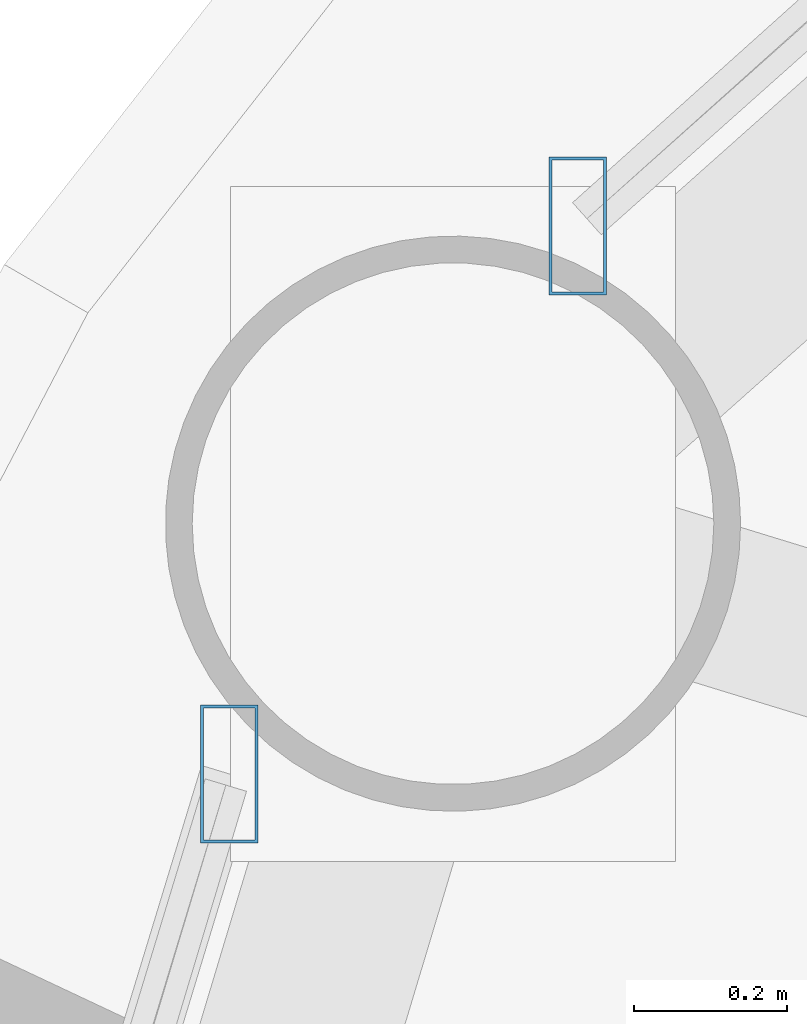
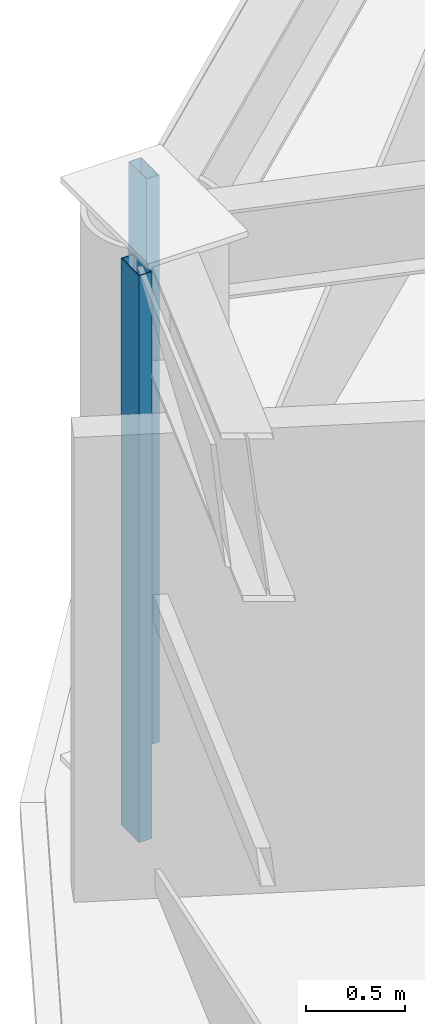
# One storey, part 14 of 30: 2 members, 2 elements without a shape of their own.
"""IFC4 building model written with IfcOpenShell, lengths in metres."""

from ifc_helpers import new_model, si_unit, direction, frame, origin, origin_2d, place, context, subcontext, project, spatial, hollow_rectangle, extrude, material, layer, layer_set, material_profile, profile_set, type_object, element, aggregate, save


model = new_model("IFC4")

# Units and contexts
model_context = context("Model", 3, precision=1e-05, world=origin(), true_north=direction((0.0, 1.0)))
body_context = subcontext(model_context, "Body", "Model", "MODEL_VIEW")
ifc_project = project(units=[si_unit("LENGTHUNIT", "METRE"), si_unit("AREAUNIT", "SQUARE_METRE"), si_unit("VOLUMEUNIT", "CUBIC_METRE"), si_unit("PLANEANGLEUNIT", "RADIAN"), si_unit("MASSUNIT", "GRAM", prefix="KILO")], contexts=[model_context])

# Site, building, storey
site_placement = place(None, origin())
site = spatial("IfcSite", under=ifc_project, at=site_placement, CompositionType="ELEMENT")
building_placement = place(site_placement, origin())
building = spatial("IfcBuilding", under=site, at=building_placement, Name="Vantalir Tower", CompositionType="ELEMENT")
storey_placement = place(building_placement, frame((0.0, 0.0, 130.949951171875)))
storey = spatial("IfcBuildingStorey", under=building, at=storey_placement, Name="L32", CompositionType="ELEMENT", Elevation=130.949951171875)

# Curtain wall, member
ifc_material_1 = material(Name="Champagne-silver PVDF aluminium and double-silver Low-E glass", Category="aluminium")
ifc_layer = layer(ifc_material_1, 0.199951171875)
ifc_layer_set = layer_set([ifc_layer], Name="Champagne-silver PVDF aluminium and double-silver Low-E glass")
curtain_wall_type = type_object("IfcCurtainWallType", Name="CW-DIAMOND-Z2", PredefinedType="USERDEFINED", material=ifc_layer_set)
curtain_wall_1_placement = place(storey_placement, origin())
curtain_wall_1 = element("IfcCurtainWall", 1, at=curtain_wall_1_placement, inside=storey, type_object=curtain_wall_type, Name="L32 Quilted Pyramid-Diamond Curtain Wall S05", ObjectType="UNITISED CURTAIN WALL", PredefinedType="USERDEFINED")
ifc_material_2 = material(Name="Champagne-silver PVDF aluminium 6063-T6", Category="aluminium")
ifc_material_profile = material_profile(ifc_material_2, hollow_rectangle(XDim=0.074951171875, YDim=0.179931640625, WallThickness=0.00390625, at=origin_2d()), Name="Champagne-silver PVDF aluminium 6063-T6")
ifc_profile_set = profile_set([ifc_material_profile], Name="Champagne-silver PVDF aluminium 6063-T6")
member_type = type_object("IfcMemberType", Name="CWM-180x75", PredefinedType="MULLION", material=ifc_profile_set)
member_1_placement = place(storey_placement, frame((9.931884765625, 36.56005859375, 0.045166015625), z_axis=(0.0, 0.0, 1.0), x_axis=(1.0, 0.0, 0.0)))
member_1 = element("IfcMember", 2, at=member_1_placement, type_object=member_type, Name="CW-L32-S05 Mullion 2", PredefinedType="MULLION", context=body_context, shape_type="SweptSolid", body=[
    extrude(hollow_rectangle(XDim=0.074951171875, YDim=0.179931640625, WallThickness=0.00390625, at=origin_2d()), origin(), (0.0, 0.0, 1.0), 3.47998046875),
])
aggregate(curtain_wall_1, [member_1])

curtain_wall_2_placement = place(storey_placement, origin())
curtain_wall_2 = element("IfcCurtainWall", 3, at=curtain_wall_2_placement, inside=storey, type_object=curtain_wall_type, Name="L32 Quilted Pyramid-Diamond Curtain Wall S06", ObjectType="UNITISED CURTAIN WALL", PredefinedType="USERDEFINED")
member_2_placement = place(storey_placement, frame((9.47705078125, 35.845947265625, 0.045166015625), z_axis=(0.0, 0.0, 1.0), x_axis=(1.0, 0.0, 0.0)))
member_2 = element("IfcMember", 4, at=member_2_placement, type_object=member_type, Name="CW-L32-S06 Mullion 1", PredefinedType="MULLION", context=body_context, shape_type="SweptSolid", body=[
    extrude(hollow_rectangle(XDim=0.074951171875, YDim=0.179931640625, WallThickness=0.00390625, at=origin_2d()), origin(), (0.0, 0.0, 1.0), 3.47998046875),
])
aggregate(curtain_wall_2, [member_2])

save(model, "model.ifc")
